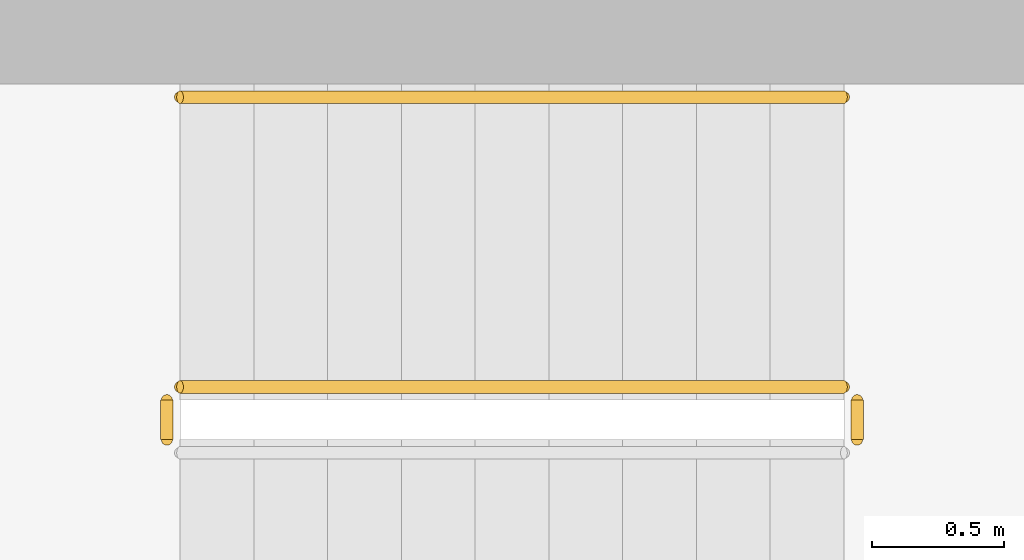
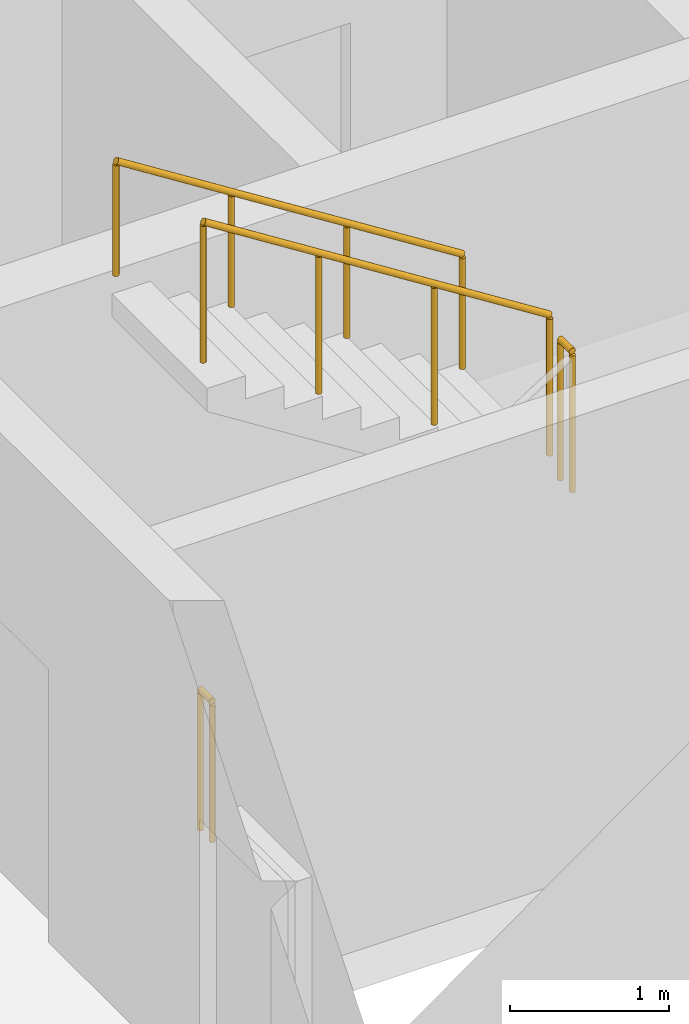
# One storey, part 15 of 17: 4 railings.
"""IFC4 building model written with IfcOpenShell, lengths in metres."""

import ifcopenshell
import ifcopenshell.guid

model = None  # the IFC model being written
_history = None  # IfcOwnerHistory: only IFC2X3 demands one
_inside = {}  # id of a spatial element -> (the spatial element, [elements in it])
_under = {}  # id of a project, library or spatial element -> (it, [spatial elements below it])
_declared = {}  # id of a project -> (the project, [libraries it declares])
_typed = {}  # id of a type object -> (the type object, [elements of that type])
_made_of = {}  # id of a material, layer set ... -> (it, [elements and type objects made of it])


def new_model(schema):
    """Start an empty IFC model of exactly this schema.

    Asked for "IFC4X3", IfcOpenShell would pick the latest addendum, in which some entities
    have other attributes; the version numbers below select the first issue.
    IFC2X3 requires an IfcOwnerHistory on every rooted entity: one is made here for all.
    """
    global model, _history
    if schema == "IFC4X3":
        model = ifcopenshell.file(schema_version=(4, 3, 0, 0))
    else:
        model = ifcopenshell.file(schema=schema)
    _inside.clear()
    _under.clear()
    _declared.clear()
    _typed.clear()
    _made_of.clear()
    _history = None
    if model.schema == "IFC2X3":
        org = make("IfcOrganization", Name="unknown")
        user = make(
            "IfcPersonAndOrganization",
            ThePerson=make("IfcPerson", FamilyName="unknown"),
            TheOrganization=org,
        )
        app = make(
            "IfcApplication",
            ApplicationDeveloper=org,
            Version="unknown",
            ApplicationFullName="unknown",
            ApplicationIdentifier="unknown",
        )
        _history = make(
            "IfcOwnerHistory",
            OwningUser=user,
            OwningApplication=app,
            ChangeAction="ADDED",
            CreationDate=0,
        )
    return model


def make(cls, **values):
    """One entity of the class cls with the attributes given. An attribute that is None is left unset."""
    return model.create_entity(
        cls, **{name: value for name, value in values.items() if value is not None}
    )


def rooted(cls, **values):
    """An entity with a GlobalId (a new one), such as an element, a storey or a relation."""
    return make(cls, GlobalId=ifcopenshell.guid.new(), OwnerHistory=_history, **values)


def si_unit(unit_type, name, prefix=None):
    """IfcSIUnit, for example si_unit("LENGTHUNIT", "METRE", prefix="MILLI")."""
    return make("IfcSIUnit", UnitType=unit_type, Prefix=prefix, Name=name)


def assignment(units):
    """IfcUnitAssignment: the units of a project."""
    return None if units is None else make("IfcUnitAssignment", Units=units)


def point(xyz):
    """IfcCartesianPoint."""
    return None if xyz is None else make("IfcCartesianPoint", Coordinates=xyz)


def direction(xyz):
    """IfcDirection."""
    return None if xyz is None else make("IfcDirection", DirectionRatios=xyz)


def frame(location, z_axis=None, x_axis=None):
    """IfcAxis2Placement3D, a coordinate frame: its origin and axes. An axis left out is left unset."""
    return make(
        "IfcAxis2Placement3D",
        Location=point(location),
        Axis=direction(z_axis),
        RefDirection=direction(x_axis),
    )


def frame_2d(location, x_axis=None):
    """IfcAxis2Placement2D, a coordinate frame in the plane: its origin and x axis."""
    return make(
        "IfcAxis2Placement2D", Location=point(location), RefDirection=direction(x_axis)
    )


def origin():
    """The frame at (0, 0, 0) with its axes left unset."""
    return frame((0.0, 0.0, 0.0))


def origin_2d():
    """The frame at (0, 0) in the plane with its x axis left unset."""
    return frame_2d((0.0, 0.0))


def place(relative_to, where):
    """IfcLocalPlacement: puts the frame where relative to a parent placement (None: the world)."""
    return make(
        "IfcLocalPlacement", PlacementRelTo=relative_to, RelativePlacement=where
    )


def context(
    kind, dimensions, precision=None, world=None, true_north=None, identifier=None
):
    """IfcGeometricRepresentationContext, for example the 3D "Model" context."""
    return make(
        "IfcGeometricRepresentationContext",
        ContextIdentifier=identifier,
        ContextType=kind,
        CoordinateSpaceDimension=dimensions,
        Precision=precision,
        WorldCoordinateSystem=world,
        TrueNorth=true_north,
    )


def subcontext(parent, identifier, kind, view, scale=None):
    """IfcGeometricRepresentationSubContext, for example "Body" below "Model"."""
    return make(
        "IfcGeometricRepresentationSubContext",
        ContextIdentifier=identifier,
        ContextType=kind,
        ParentContext=parent,
        TargetScale=scale,
        TargetView=view,
    )


def project(units=None, contexts=None):
    """IfcProject with its units and contexts."""
    return rooted(
        "IfcProject",
        Name="project",
        RepresentationContexts=contexts,
        UnitsInContext=assignment(units),
    )


def spatial(cls, under=None, at=None, **own):
    """A site, building, storey or space (cls), placed at a placement, below another one or the project."""
    s = rooted(cls, ObjectPlacement=at, **own)
    if under is not None:
        _under.setdefault(under.id(), (under, []))[1].append(s)
    return s


def profile(cls, at=None, kind="AREA", **sizes):
    """A parametric profile (cls). Its sizes go by their IFC names, for example OverallWidth=200.0."""
    return make(cls, ProfileType=kind, Position=at, **sizes)


def circle(**sizes):
    """IfcCircleProfileDef."""
    return profile("IfcCircleProfileDef", **sizes)


def extrude(swept, where, along, depth):
    """IfcExtrudedAreaSolid: the profile swept, set in the frame where, extruded along a direction by depth."""
    return make(
        "IfcExtrudedAreaSolid",
        SweptArea=swept,
        Position=where,
        ExtrudedDirection=direction(along),
        Depth=depth,
    )


def shape(context_of_items, identifier, shape_type, items):
    """IfcShapeRepresentation: the items that make up one representation, for example the "Body"."""
    return make(
        "IfcShapeRepresentation",
        ContextOfItems=context_of_items,
        RepresentationIdentifier=identifier,
        RepresentationType=shape_type,
        Items=items,
    )


def material(Name=None, Category=None):
    """IfcMaterial."""
    return make("IfcMaterial", Name=Name, Category=Category)


def made_of(thing, what):
    """Note that an element or type object is made of a material, layer set ...; save() writes the relation."""
    if what is not None:
        _made_of.setdefault(what.id(), (what, []))[1].append(thing)
    return thing


def type_object(cls, material=None, **own):
    """A type object (cls), such as IfcWallType, which elements share."""
    return made_of(rooted(cls, **own), material)


def element(
    cls,
    number,
    at=None,
    inside=None,
    cuts=None,
    type_object=None,
    material=None,
    context=None,
    identifier="Body",
    shape_type=None,
    held_by="IfcProductDefinitionShape",
    body=None,
    shapes=None,
    **own,
):
    """One element of the class cls, such as IfcWall. Its Tag is "e" and its number.

    at: its placement. inside: the storey or other place that contains it. cuts: it is an
    opening in that element (IfcRelVoidsElement). A single representation is given by context,
    identifier, shape_type and body (its items); several are given by shapes. held_by: the class
    of the entity that holds the representations. save() writes the other relations.
    """
    e = rooted(cls, Tag="e%d" % number, ObjectPlacement=at, **own)
    if body is not None:
        shapes = [shape(context, identifier, shape_type, body)]
    if shapes is not None:
        e.Representation = make(held_by, Representations=shapes)
    if inside is not None:
        _inside.setdefault(inside.id(), (inside, []))[1].append(e)
    if cuts is not None:
        rooted(
            "IfcRelVoidsElement", RelatingBuildingElement=cuts, RelatedOpeningElement=e
        )
    if type_object is not None:
        _typed.setdefault(type_object.id(), (type_object, []))[1].append(e)
    return made_of(e, material)


def aggregate(whole, parts):
    """IfcRelAggregates: a whole, such as a stair, and the parts it consists of."""
    return rooted("IfcRelAggregates", RelatingObject=whole, RelatedObjects=parts)


def save(model, path):
    """Write the relations noted so far, then the file.

    IfcRelAggregates (storeys below a building ...), IfcRelContainedInSpatialStructure (elements
    in a storey), IfcRelDefinesByType, IfcRelAssociatesMaterial and IfcRelDeclares: one each for
    every whole, place, type object, material and project.
    """
    for whole, parts in _under.values():
        aggregate(whole, parts)
    for where, things in _inside.values():
        rooted(
            "IfcRelContainedInSpatialStructure",
            RelatedElements=things,
            RelatingStructure=where,
        )
    for kind, things in _typed.values():
        rooted("IfcRelDefinesByType", RelatedObjects=things, RelatingType=kind)
    for what, things in _made_of.values():
        rooted("IfcRelAssociatesMaterial", RelatedObjects=things, RelatingMaterial=what)
    for by, libraries in _declared.values():
        rooted("IfcRelDeclares", RelatingContext=by, RelatedDefinitions=libraries)
    model.write(path)


model = new_model("IFC4")

# Units and contexts
model_context = context("Model", 3, precision=1e-05, world=origin(), true_north=direction((0.0, 1.0)))
body_context = subcontext(model_context, "Body", "Model", "MODEL_VIEW")
ifc_project = project(units=[si_unit("LENGTHUNIT", "METRE"), si_unit("AREAUNIT", "SQUARE_METRE"), si_unit("VOLUMEUNIT", "CUBIC_METRE"), si_unit("PLANEANGLEUNIT", "RADIAN"), si_unit("MASSUNIT", "GRAM", prefix="KILO")], contexts=[model_context])

# Site, building, storey
site_placement = place(None, origin())
site = spatial("IfcSite", under=ifc_project, at=site_placement, CompositionType="ELEMENT")
building_placement = place(site_placement, origin())
building = spatial("IfcBuilding", under=site, at=building_placement, Name="Ostrand Prow Hotel Tower", CompositionType="ELEMENT")
storey_placement = place(building_placement, frame((0.0, 0.0, 95.550048828125)))
storey = spatial("IfcBuildingStorey", under=building, at=storey_placement, Name="L22", CompositionType="ELEMENT", Elevation=95.550048828125)

# Railings
ifc_material_1 = material(Name="Painted steel", Category="steel")
railing_type_1 = type_object("IfcRailingType", Name="Stair guard 1100", PredefinedType="GUARDRAIL", material=ifc_material_1)
railing_1_placement = place(storey_placement, frame((59.77001953125, -11.699951171875, 1.77490234375)))
element("IfcRailing", 1, at=railing_1_placement, inside=storey, type_object=railing_type_1, Name="L22 ST2C stair guard 2", PredefinedType="GUARDRAIL", context=body_context, shape_type="SweptSolid", body=[
    extrude(circle(Radius=0.02392578125, at=origin_2d()), frame((0.0, 0.0, 1.076171875), z_axis=(0.0, 1.0, 0.0), x_axis=(-1.0, 0.0, 0.0)), (0.0, 0.0, 1.0), 0.14990234375),
    extrude(circle(Radius=0.02099609375, at=origin_2d()), origin(), (0.0, 0.0, 1.0), 1.052001953125),
    extrude(circle(Radius=0.02099609375, at=origin_2d()), frame((0.0, 0.14990234375, 0.0)), (0.0, 0.0, 1.0), 1.052001953125),
])
railing_2_placement = place(storey_placement, frame((59.719970703125, -11.5, 1.952392578125)))
element("IfcRailing", 2, at=railing_2_placement, inside=storey, type_object=railing_type_1, Name="L22 ST2C stair guard 3", PredefinedType="GUARDRAIL", context=body_context, shape_type="SweptSolid", body=[
    extrude(circle(Radius=0.02392578125, at=origin_2d()), frame((0.0, 0.0, 1.076171875), z_axis=(-0.84456994832, 0.0, 0.535445237532), x_axis=(0.0, -1.0, 0.0)), (0.0, 0.0, 1.0), 2.98388671875),
    extrude(circle(Radius=0.02099609375, at=origin_2d()), origin(), (0.0, 0.0, 1.0), 1.052001953125),
    extrude(circle(Radius=0.02099609375, at=origin_2d()), frame((-0.840087890625, 0.0, 0.532470703125)), (0.0, 0.0, 1.0), 1.052001953125),
    extrude(circle(Radius=0.02099609375, at=origin_2d()), frame((-1.679931640625, 0.0, 1.065185546875)), (0.0, 0.0, 1.0), 1.052001953125),
    extrude(circle(Radius=0.02099609375, at=origin_2d()), frame((-2.52001953125, 0.0, 1.59765625)), (0.0, 0.0, 1.0), 1.052001953125),
])
railing_3_placement = place(storey_placement, frame((57.14990234375, -11.699951171875, 0.0)))
element("IfcRailing", 3, at=railing_3_placement, inside=storey, type_object=railing_type_1, Name="L22 ST2C stair guard 4", PredefinedType="GUARDRAIL", context=body_context, shape_type="SweptSolid", body=[
    extrude(circle(Radius=0.02392578125, at=origin_2d()), frame((0.0, 0.0, 1.076171875), z_axis=(0.0, 1.0, 0.0), x_axis=(-1.0, 0.0, 0.0)), (0.0, 0.0, 1.0), 0.14990234375),
    extrude(circle(Radius=0.02099609375, at=origin_2d()), origin(), (0.0, 0.0, 1.0), 1.052001953125),
    extrude(circle(Radius=0.02099609375, at=origin_2d()), frame((0.0, 0.14990234375, 0.0)), (0.0, 0.0, 1.0), 1.052001953125),
])
ifc_material_2 = material(Name="Stainless steel", Category="steel")
railing_type_2 = type_object("IfcRailingType", Name="Stair handrail 900", PredefinedType="HANDRAIL", material=ifc_material_2)
railing_4_placement = place(storey_placement, frame((59.719970703125, -10.39990234375, 1.952392578125)))
element("IfcRailing", 4, at=railing_4_placement, inside=storey, type_object=railing_type_2, Name="L22 ST2C stair handrail 2", PredefinedType="HANDRAIL", context=body_context, shape_type="SweptSolid", body=[
    extrude(circle(Radius=0.02392578125, at=origin_2d()), frame((0.0, 0.0, 0.8759765625), z_axis=(-0.84456994832, 0.0, 0.535445237532), x_axis=(0.0, -1.0, 0.0)), (0.0, 0.0, 1.0), 2.98388671875),
    extrude(circle(Radius=0.02099609375, at=origin_2d()), origin(), (0.0, 0.0, 1.0), 0.851806640625),
    extrude(circle(Radius=0.02099609375, at=origin_2d()), frame((-0.840087890625, 0.0, 0.532470703125)), (0.0, 0.0, 1.0), 0.851806640625),
    extrude(circle(Radius=0.02099609375, at=origin_2d()), frame((-1.679931640625, 0.0, 1.065185546875)), (0.0, 0.0, 1.0), 0.851806640625),
    extrude(circle(Radius=0.02099609375, at=origin_2d()), frame((-2.52001953125, 0.0, 1.59765625)), (0.0, 0.0, 1.0), 0.851806640625),
])

save(model, "model.ifc")
